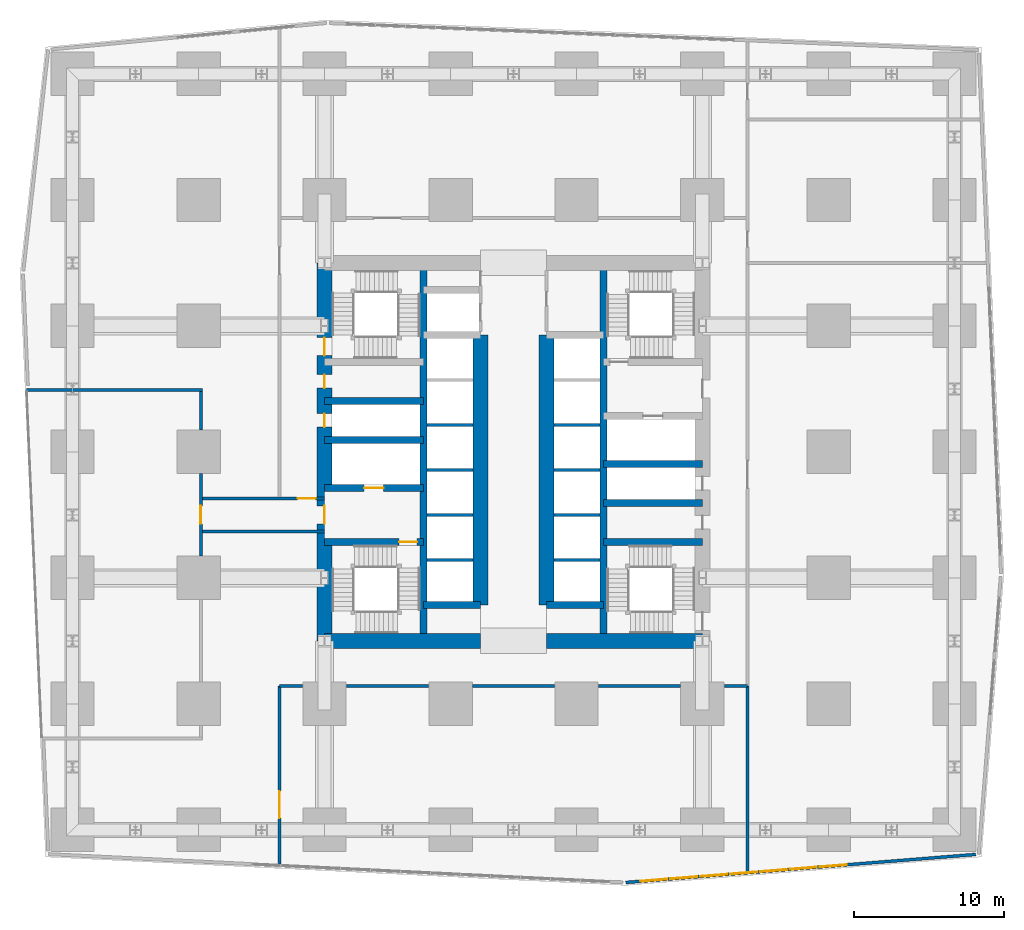
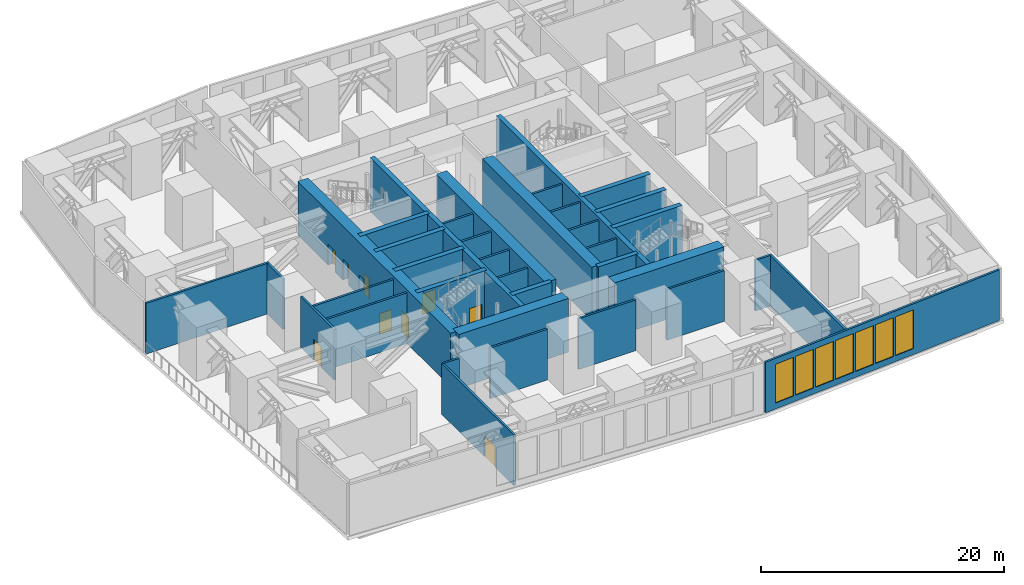
# One storey, part 9 of 16: 37 walls, 9 doors, 7 windows, 16 openings.
"""IFC4 building model written with IfcOpenShell, lengths in metres."""

import ifcopenshell
import ifcopenshell.guid

model = None  # the IFC model being written
_history = None  # IfcOwnerHistory: only IFC2X3 demands one
_inside = {}  # id of a spatial element -> (the spatial element, [elements in it])
_under = {}  # id of a project, library or spatial element -> (it, [spatial elements below it])
_declared = {}  # id of a project -> (the project, [libraries it declares])
_typed = {}  # id of a type object -> (the type object, [elements of that type])
_made_of = {}  # id of a material, layer set ... -> (it, [elements and type objects made of it])


def new_model(schema):
    """Start an empty IFC model of exactly this schema.

    Asked for "IFC4X3", IfcOpenShell would pick the latest addendum, in which some entities
    have other attributes; the version numbers below select the first issue.
    IFC2X3 requires an IfcOwnerHistory on every rooted entity: one is made here for all.
    """
    global model, _history
    if schema == "IFC4X3":
        model = ifcopenshell.file(schema_version=(4, 3, 0, 0))
    else:
        model = ifcopenshell.file(schema=schema)
    _inside.clear()
    _under.clear()
    _declared.clear()
    _typed.clear()
    _made_of.clear()
    _history = None
    if model.schema == "IFC2X3":
        org = make("IfcOrganization", Name="unknown")
        user = make(
            "IfcPersonAndOrganization",
            ThePerson=make("IfcPerson", FamilyName="unknown"),
            TheOrganization=org,
        )
        app = make(
            "IfcApplication",
            ApplicationDeveloper=org,
            Version="unknown",
            ApplicationFullName="unknown",
            ApplicationIdentifier="unknown",
        )
        _history = make(
            "IfcOwnerHistory",
            OwningUser=user,
            OwningApplication=app,
            ChangeAction="ADDED",
            CreationDate=0,
        )
    return model


def make(cls, **values):
    """One entity of the class cls with the attributes given. An attribute that is None is left unset."""
    return model.create_entity(
        cls, **{name: value for name, value in values.items() if value is not None}
    )


def rooted(cls, **values):
    """An entity with a GlobalId (a new one), such as an element, a storey or a relation."""
    return make(cls, GlobalId=ifcopenshell.guid.new(), OwnerHistory=_history, **values)


def si_unit(unit_type, name, prefix=None):
    """IfcSIUnit, for example si_unit("LENGTHUNIT", "METRE", prefix="MILLI")."""
    return make("IfcSIUnit", UnitType=unit_type, Prefix=prefix, Name=name)


def assignment(units):
    """IfcUnitAssignment: the units of a project."""
    return None if units is None else make("IfcUnitAssignment", Units=units)


def point(xyz):
    """IfcCartesianPoint."""
    return None if xyz is None else make("IfcCartesianPoint", Coordinates=xyz)


def direction(xyz):
    """IfcDirection."""
    return None if xyz is None else make("IfcDirection", DirectionRatios=xyz)


def frame(location, z_axis=None, x_axis=None):
    """IfcAxis2Placement3D, a coordinate frame: its origin and axes. An axis left out is left unset."""
    return make(
        "IfcAxis2Placement3D",
        Location=point(location),
        Axis=direction(z_axis),
        RefDirection=direction(x_axis),
    )


def frame_2d(location, x_axis=None):
    """IfcAxis2Placement2D, a coordinate frame in the plane: its origin and x axis."""
    return make(
        "IfcAxis2Placement2D", Location=point(location), RefDirection=direction(x_axis)
    )


def origin():
    """The frame at (0, 0, 0) with its axes left unset."""
    return frame((0.0, 0.0, 0.0))


def place(relative_to, where):
    """IfcLocalPlacement: puts the frame where relative to a parent placement (None: the world)."""
    return make(
        "IfcLocalPlacement", PlacementRelTo=relative_to, RelativePlacement=where
    )


def context(
    kind, dimensions, precision=None, world=None, true_north=None, identifier=None
):
    """IfcGeometricRepresentationContext, for example the 3D "Model" context."""
    return make(
        "IfcGeometricRepresentationContext",
        ContextIdentifier=identifier,
        ContextType=kind,
        CoordinateSpaceDimension=dimensions,
        Precision=precision,
        WorldCoordinateSystem=world,
        TrueNorth=true_north,
    )


def subcontext(parent, identifier, kind, view, scale=None):
    """IfcGeometricRepresentationSubContext, for example "Body" below "Model"."""
    return make(
        "IfcGeometricRepresentationSubContext",
        ContextIdentifier=identifier,
        ContextType=kind,
        ParentContext=parent,
        TargetScale=scale,
        TargetView=view,
    )


def project(units=None, contexts=None):
    """IfcProject with its units and contexts."""
    return rooted(
        "IfcProject",
        Name="project",
        RepresentationContexts=contexts,
        UnitsInContext=assignment(units),
    )


def spatial(cls, under=None, at=None, **own):
    """A site, building, storey or space (cls), placed at a placement, below another one or the project."""
    s = rooted(cls, ObjectPlacement=at, **own)
    if under is not None:
        _under.setdefault(under.id(), (under, []))[1].append(s)
    return s


def profile(cls, at=None, kind="AREA", **sizes):
    """A parametric profile (cls). Its sizes go by their IFC names, for example OverallWidth=200.0."""
    return make(cls, ProfileType=kind, Position=at, **sizes)


def rectangle(**sizes):
    """IfcRectangleProfileDef."""
    return profile("IfcRectangleProfileDef", **sizes)


def extrude(swept, where, along, depth):
    """IfcExtrudedAreaSolid: the profile swept, set in the frame where, extruded along a direction by depth."""
    return make(
        "IfcExtrudedAreaSolid",
        SweptArea=swept,
        Position=where,
        ExtrudedDirection=direction(along),
        Depth=depth,
    )


def shape(context_of_items, identifier, shape_type, items):
    """IfcShapeRepresentation: the items that make up one representation, for example the "Body"."""
    return make(
        "IfcShapeRepresentation",
        ContextOfItems=context_of_items,
        RepresentationIdentifier=identifier,
        RepresentationType=shape_type,
        Items=items,
    )


def material(Name=None, Category=None):
    """IfcMaterial."""
    return make("IfcMaterial", Name=Name, Category=Category)


def layer(
    of_material, thickness, ventilated=None, Name=None, Category=None, Priority=None
):
    """IfcMaterialLayer: one layer of a wall or slab, of a material (None: an air gap)."""
    return make(
        "IfcMaterialLayer",
        Material=of_material,
        LayerThickness=thickness,
        IsVentilated=ventilated,
        Name=Name,
        Category=Category,
        Priority=Priority,
    )


def layer_set(layers, Name=None):
    """IfcMaterialLayerSet."""
    return make("IfcMaterialLayerSet", MaterialLayers=layers, LayerSetName=Name)


def made_of(thing, what):
    """Note that an element or type object is made of a material, layer set ...; save() writes the relation."""
    if what is not None:
        _made_of.setdefault(what.id(), (what, []))[1].append(thing)
    return thing


def type_object(cls, material=None, **own):
    """A type object (cls), such as IfcWallType, which elements share."""
    return made_of(rooted(cls, **own), material)


def element(
    cls,
    number,
    at=None,
    inside=None,
    cuts=None,
    type_object=None,
    material=None,
    context=None,
    identifier="Body",
    shape_type=None,
    held_by="IfcProductDefinitionShape",
    body=None,
    shapes=None,
    **own,
):
    """One element of the class cls, such as IfcWall. Its Tag is "e" and its number.

    at: its placement. inside: the storey or other place that contains it. cuts: it is an
    opening in that element (IfcRelVoidsElement). A single representation is given by context,
    identifier, shape_type and body (its items); several are given by shapes. held_by: the class
    of the entity that holds the representations. save() writes the other relations.
    """
    e = rooted(cls, Tag="e%d" % number, ObjectPlacement=at, **own)
    if body is not None:
        shapes = [shape(context, identifier, shape_type, body)]
    if shapes is not None:
        e.Representation = make(held_by, Representations=shapes)
    if inside is not None:
        _inside.setdefault(inside.id(), (inside, []))[1].append(e)
    if cuts is not None:
        rooted(
            "IfcRelVoidsElement", RelatingBuildingElement=cuts, RelatedOpeningElement=e
        )
    if type_object is not None:
        _typed.setdefault(type_object.id(), (type_object, []))[1].append(e)
    return made_of(e, material)


def fill(opening, filler):
    """IfcRelFillsElement: the door or window that sits in an opening."""
    return rooted(
        "IfcRelFillsElement",
        RelatingOpeningElement=opening,
        RelatedBuildingElement=filler,
    )


def aggregate(whole, parts):
    """IfcRelAggregates: a whole, such as a stair, and the parts it consists of."""
    return rooted("IfcRelAggregates", RelatingObject=whole, RelatedObjects=parts)


def save(model, path):
    """Write the relations noted so far, then the file.

    IfcRelAggregates (storeys below a building ...), IfcRelContainedInSpatialStructure (elements
    in a storey), IfcRelDefinesByType, IfcRelAssociatesMaterial and IfcRelDeclares: one each for
    every whole, place, type object, material and project.
    """
    for whole, parts in _under.values():
        aggregate(whole, parts)
    for where, things in _inside.values():
        rooted(
            "IfcRelContainedInSpatialStructure",
            RelatedElements=things,
            RelatingStructure=where,
        )
    for kind, things in _typed.values():
        rooted("IfcRelDefinesByType", RelatedObjects=things, RelatingType=kind)
    for what, things in _made_of.values():
        rooted("IfcRelAssociatesMaterial", RelatedObjects=things, RelatingMaterial=what)
    for by, libraries in _declared.values():
        rooted("IfcRelDeclares", RelatingContext=by, RelatedDefinitions=libraries)
    model.write(path)


model = new_model("IFC4")

# Units and contexts
model_context = context("Model", 3, precision=1e-05, world=origin(), true_north=direction((0.0, 1.0)))
body_context = subcontext(model_context, "Body", "Model", "MODEL_VIEW")
ifc_project = project(units=[si_unit("LENGTHUNIT", "METRE"), si_unit("AREAUNIT", "SQUARE_METRE"), si_unit("VOLUMEUNIT", "CUBIC_METRE"), si_unit("PLANEANGLEUNIT", "RADIAN"), si_unit("MASSUNIT", "GRAM", prefix="KILO")], contexts=[model_context])

# Site, building, storey
site_placement = place(None, origin())
site = spatial("IfcSite", under=ifc_project, at=site_placement, CompositionType="ELEMENT")
building_placement = place(site_placement, origin())
building = spatial("IfcBuilding", under=site, at=building_placement, Name="Rekha Terrace Tower", CompositionType="ELEMENT")
storey_placement = place(building_placement, frame((0.0, 0.0, 85.39990234375)))
storey = spatial("IfcBuildingStorey", under=building, at=storey_placement, Name="L21", CompositionType="ELEMENT", Elevation=85.39990234375)

# Walls
ifc_material_1 = material(Name="Concrete M70", Category="concrete")
ifc_layer_1 = layer(ifc_material_1, 0.449951171875)
ifc_layer_set_1 = layer_set([ifc_layer_1], Name="Concrete M70")
wall_type_1 = type_object("IfcWallType", Name="CI2 450 core internal shear wall", PredefinedType="SHEAR", material=ifc_layer_set_1)
for number, where, z_axis, x_axis, name in (
    (1, (31.800048828125, 21.0, 0.0), (0.0, 0.0, 1.0), (0.0, 1.0, 0.0), "Core wall X318 L21"),
    (2, (43.800048828125, 21.0, 0.0), (0.0, 0.0, 1.0), (0.0, 1.0, 0.0), "Core wall X438 L21"),
):
    element("IfcWall", number, at=place(storey_placement, frame(where, z_axis=z_axis, x_axis=x_axis)), inside=storey, type_object=wall_type_1, Name=name, PredefinedType="SHEAR", context=body_context, shape_type="SweptSolid", body=[
        extrude(rectangle(XDim=25.199951171875, YDim=0.449951171875, at=frame_2d((12.60009765625, 0.0))), origin(), (0.0, 0.0, 1.0), 5.400146484375),
    ])
for number, where, z_axis, x_axis, name in (
    (3, (31.800048828125, 23.39990234375, 0.0), (0.0, 0.0, 1.0), (1.0, 0.0, 0.0), "Core wall Y234W L21"),
    (4, (40.0, 23.39990234375, 0.0), (0.0, 0.0, 1.0), (1.0, 0.0, 0.0), "Core wall Y234E L21"),
):
    element("IfcWall", number, at=place(storey_placement, frame(where, z_axis=z_axis, x_axis=x_axis)), inside=storey, type_object=wall_type_1, Name=name, PredefinedType="SHEAR", context=body_context, shape_type="SweptSolid", body=[
        extrude(rectangle(XDim=3.800048828125, YDim=0.449951171875, at=frame_2d((1.89990234375, 0.0))), origin(), (0.0, 0.0, 1.0), 5.400146484375),
    ])

# Wall, opening, door
wall_1_placement = place(storey_placement, frame((25.199951171875, 27.60009765625, 0.0), z_axis=(0.0, 0.0, 1.0), x_axis=(1.0, 0.0, 0.0)))
wall_1 = element("IfcWall", 5, at=wall_1_placement, inside=storey, type_object=wall_type_1, Name="Core wall Y276W L21", PredefinedType="SHEAR", context=body_context, shape_type="SweptSolid", body=[
    extrude(rectangle(XDim=6.60009765625, YDim=0.449951171875, at=frame_2d((3.300048828125, 0.0))), origin(), (0.0, 0.0, 1.0), 5.400146484375),
])
opening_1_placement = place(wall_1_placement, frame((4.97509765625, 0.0, 0.0)))
opening_1 = element("IfcOpeningElement", 6, at=opening_1_placement, cuts=wall_1, Name="Opening D1", PredefinedType="OPENING", context=body_context, shape_type="SweptSolid", body=[
    extrude(rectangle(XDim=1.199951171875, YDim=2.10009765625, at=frame_2d((0.60009765625, 1.050048828125))), frame((0.0, 0.23486328125, 0.0), z_axis=(0.0, -1.0, 0.0), x_axis=(1.0, 0.0, 0.0)), (0.0, 0.0, 1.0), 0.469970703125),
])
ifc_material_2 = material(Name="Steel fire door", Category="steel")
door_type_1 = type_object("IfcDoorType", Name="D1 1200x2100 stair fire door", OperationType="SINGLE_SWING_RIGHT", PredefinedType="DOOR", material=ifc_material_2)
door_1_placement = place(opening_1_placement, origin())
door_1 = element("IfcDoor", 7, at=door_1_placement, inside=storey, type_object=door_type_1, Name="Stair ST1 door L21", OperationType="SINGLE_SWING_RIGHT", OverallHeight=2.10009765625, OverallWidth=1.199951171875, PredefinedType="DOOR", context=body_context, shape_type="SweptSolid", body=[
    extrude(rectangle(XDim=1.199951171875, YDim=2.10009765625, at=frame_2d((0.60009765625, 1.050048828125))), frame((0.0, 0.02490234375, 0.0), z_axis=(0.0, -1.0, 0.0), x_axis=(1.0, 0.0, 0.0)), (0.0, 0.0, 1.0), 0.050048828125),
])
fill(opening_1, door_1)

wall_2_placement = place(storey_placement, frame((25.199951171875, 31.199951171875, 0.0), z_axis=(0.0, 0.0, 1.0), x_axis=(1.0, 0.0, 0.0)))
wall_2 = element("IfcWall", 8, at=wall_2_placement, inside=storey, type_object=wall_type_1, Name="Core wall Y312W L21", PredefinedType="SHEAR", context=body_context, shape_type="SweptSolid", body=[
    extrude(rectangle(XDim=6.60009765625, YDim=0.449951171875, at=frame_2d((3.300048828125, 0.0))), origin(), (0.0, 0.0, 1.0), 5.400146484375),
])
opening_2_placement = place(wall_2_placement, frame((2.64990234375, 0.0, 0.0)))
opening_2 = element("IfcOpeningElement", 9, at=opening_2_placement, cuts=wall_2, Name="Opening LD2", PredefinedType="OPENING", context=body_context, shape_type="SweptSolid", body=[
    extrude(rectangle(XDim=1.300048828125, YDim=2.10009765625, at=frame_2d((0.64990234375, 1.050048828125))), frame((0.0, 0.23486328125, 0.0), z_axis=(0.0, -1.0, 0.0), x_axis=(1.0, 0.0, 0.0)), (0.0, 0.0, 1.0), 0.469970703125),
])
ifc_material_3 = material(Name="Stainless steel sliding landing door", Category="steel")
door_type_2 = type_object("IfcDoorType", Name="LD2 1300x2100 fire lift landing door", OperationType="SLIDING_TO_LEFT", PredefinedType="USERDEFINED", material=ifc_material_3)
door_2_placement = place(opening_2_placement, origin())
door_2 = element("IfcDoor", 10, at=door_2_placement, inside=storey, type_object=door_type_2, Name="Lift FL1 landing door L21", ObjectType="LIFT LANDING DOOR", OperationType="SLIDING_TO_LEFT", OverallHeight=2.10009765625, OverallWidth=1.300048828125, PredefinedType="USERDEFINED", context=body_context, shape_type="SweptSolid", body=[
    extrude(rectangle(XDim=1.300048828125, YDim=2.10009765625, at=frame_2d((0.64990234375, 1.050048828125))), frame((0.0, 0.02490234375, 0.0), z_axis=(0.0, -1.0, 0.0), x_axis=(1.0, 0.0, 0.0)), (0.0, 0.0, 1.0), 0.050048828125),
])
fill(opening_2, door_2)

# Walls
for number, where, z_axis, x_axis, name in (
    (11, (25.199951171875, 34.39990234375, 0.0), (0.0, 0.0, 1.0), (1.0, 0.0, 0.0), "Core wall Y344W L21"),
    (12, (25.199951171875, 37.0, 0.0), (0.0, 0.0, 1.0), (1.0, 0.0, 0.0), "Core wall Y370W L21"),
):
    element("IfcWall", number, at=place(storey_placement, frame(where, z_axis=z_axis, x_axis=x_axis)), inside=storey, type_object=wall_type_1, Name=name, PredefinedType="SHEAR", context=body_context, shape_type="SweptSolid", body=[
        extrude(rectangle(XDim=6.60009765625, YDim=0.449951171875, at=frame_2d((3.300048828125, 0.0))), origin(), (0.0, 0.0, 1.0), 5.400146484375),
    ])
for number, where, z_axis, x_axis, name in (
    (13, (43.800048828125, 27.60009765625, 0.0), (0.0, 0.0, 1.0), (1.0, 0.0, 0.0), "Core wall Y276E L21"),
    (14, (43.800048828125, 30.199951171875, 0.0), (0.0, 0.0, 1.0), (1.0, 0.0, 0.0), "Core wall Y302E L21"),
    (15, (43.800048828125, 32.800048828125, 0.0), (0.0, 0.0, 1.0), (1.0, 0.0, 0.0), "Core wall Y328E L21"),
):
    element("IfcWall", number, at=place(storey_placement, frame(where, z_axis=z_axis, x_axis=x_axis)), inside=storey, type_object=wall_type_1, Name=name, PredefinedType="SHEAR", context=body_context, shape_type="SweptSolid", body=[
        extrude(rectangle(XDim=6.599853515625, YDim=0.449951171875, at=frame_2d((3.2998046875, 0.0))), origin(), (0.0, 0.0, 1.0), 5.400146484375),
    ])

# Wall, openings, windows
ifc_material_4 = material(Name="Aluminium cladding on steel stud wall", Category="steel")
ifc_layer_2 = layer(ifc_material_4, 0.199951171875)
ifc_layer_set_2 = layer_set([ifc_layer_2], Name="Aluminium cladding on steel stud wall")
wall_type_2 = type_object("IfcWallType", Name="EW1 plant floor louvre wall 200", PredefinedType="SOLIDWALL", material=ifc_layer_set_2)
wall_3_placement = place(storey_placement, frame((45.284912109375, 4.900390625, 0.0), z_axis=(0.0, 0.0, 1.0), x_axis=(0.996805087864, 0.079872503456, 0.0)))
wall_3 = element("IfcWall", 16, at=wall_3_placement, inside=storey, type_object=wall_type_2, Name="Plant floor louvre wall", PredefinedType="SOLIDWALL", context=body_context, shape_type="SweptSolid", body=[
    extrude(rectangle(XDim=23.404541015625, YDim=0.199951171875, at=frame_2d((11.7021484375, 0.0))), origin(), (0.0, 0.0, 1.0), 5.10009765625),
])
opening_3_placement = place(wall_3_placement, frame((0.984130859375, 0.0, 0.60009765625)))
opening_3 = element("IfcOpeningElement", 17, at=opening_3_placement, cuts=wall_3, Name="Opening LV2", PredefinedType="OPENING", context=body_context, shape_type="SweptSolid", body=[
    extrude(rectangle(XDim=1.800048828125, YDim=3.89990234375, at=frame_2d((0.89990234375, 1.949951171875))), frame((0.0, 0.10986328125, 0.0), z_axis=(0.0, -1.0, 0.0), x_axis=(1.0, 0.0, 0.0)), (0.0, 0.0, 1.0), 0.219970703125),
])
opening_4_placement = place(wall_3_placement, frame((2.984130859375, 0.0, 0.60009765625)))
opening_4 = element("IfcOpeningElement", 18, at=opening_4_placement, cuts=wall_3, Name="Opening LV2", PredefinedType="OPENING", context=body_context, shape_type="SweptSolid", body=[
    extrude(rectangle(XDim=1.800048828125, YDim=3.89990234375, at=frame_2d((0.89990234375, 1.949951171875))), frame((0.0, 0.10986328125, 0.0), z_axis=(0.0, -1.0, 0.0), x_axis=(1.0, 0.0, 0.0)), (0.0, 0.0, 1.0), 0.219970703125),
])
opening_5_placement = place(wall_3_placement, frame((4.984130859375, 0.0, 0.60009765625)))
opening_5 = element("IfcOpeningElement", 19, at=opening_5_placement, cuts=wall_3, Name="Opening LV2", PredefinedType="OPENING", context=body_context, shape_type="SweptSolid", body=[
    extrude(rectangle(XDim=1.800048828125, YDim=3.89990234375, at=frame_2d((0.89990234375, 1.949951171875))), frame((0.0, 0.10986328125, 0.0), z_axis=(0.0, -1.0, 0.0), x_axis=(1.0, 0.0, 0.0)), (0.0, 0.0, 1.0), 0.219970703125),
])
opening_6_placement = place(wall_3_placement, frame((6.984130859375, 0.0, 0.60009765625)))
opening_6 = element("IfcOpeningElement", 20, at=opening_6_placement, cuts=wall_3, Name="Opening LV2", PredefinedType="OPENING", context=body_context, shape_type="SweptSolid", body=[
    extrude(rectangle(XDim=1.800048828125, YDim=3.89990234375, at=frame_2d((0.89990234375, 1.949951171875))), frame((0.0, 0.10986328125, 0.0), z_axis=(0.0, -1.0, 0.0), x_axis=(1.0, 0.0, 0.0)), (0.0, 0.0, 1.0), 0.219970703125),
])
opening_7_placement = place(wall_3_placement, frame((8.984130859375, 0.0, 0.60009765625)))
opening_7 = element("IfcOpeningElement", 21, at=opening_7_placement, cuts=wall_3, Name="Opening LV2", PredefinedType="OPENING", context=body_context, shape_type="SweptSolid", body=[
    extrude(rectangle(XDim=1.800048828125, YDim=3.89990234375, at=frame_2d((0.89990234375, 1.949951171875))), frame((0.0, 0.10986328125, 0.0), z_axis=(0.0, -1.0, 0.0), x_axis=(1.0, 0.0, 0.0)), (0.0, 0.0, 1.0), 0.219970703125),
])
opening_8_placement = place(wall_3_placement, frame((10.984130859375, 0.0, 0.60009765625)))
opening_8 = element("IfcOpeningElement", 22, at=opening_8_placement, cuts=wall_3, Name="Opening LV2", PredefinedType="OPENING", context=body_context, shape_type="SweptSolid", body=[
    extrude(rectangle(XDim=1.800048828125, YDim=3.89990234375, at=frame_2d((0.89990234375, 1.949951171875))), frame((0.0, 0.10986328125, 0.0), z_axis=(0.0, -1.0, 0.0), x_axis=(1.0, 0.0, 0.0)), (0.0, 0.0, 1.0), 0.219970703125),
])
opening_9_placement = place(wall_3_placement, frame((12.984130859375, 0.0, 0.60009765625)))
opening_9 = element("IfcOpeningElement", 23, at=opening_9_placement, cuts=wall_3, Name="Opening LV2", PredefinedType="OPENING", context=body_context, shape_type="SweptSolid", body=[
    extrude(rectangle(XDim=1.800048828125, YDim=3.89990234375, at=frame_2d((0.89990234375, 1.949951171875))), frame((0.0, 0.10986328125, 0.0), z_axis=(0.0, -1.0, 0.0), x_axis=(1.0, 0.0, 0.0)), (0.0, 0.0, 1.0), 0.219970703125),
])
ifc_material_5 = material(Name="Extruded aluminium weather louvre", Category="aluminium")
window_type = type_object("IfcWindowType", Name="LV2 plant louvre 1800", PartitioningType="SINGLE_PANEL", PredefinedType="USERDEFINED", material=ifc_material_5)
window_1_placement = place(opening_3_placement, origin())
window_1 = element("IfcWindow", 24, at=window_1_placement, inside=storey, type_object=window_type, Name="Plant louvre", ObjectType="LOUVRE", OverallHeight=3.89990234375, OverallWidth=1.800048828125, PartitioningType="SINGLE_PANEL", PredefinedType="USERDEFINED", context=body_context, shape_type="SweptSolid", body=[
    extrude(rectangle(XDim=1.800048828125, YDim=3.89990234375, at=frame_2d((0.89990234375, 1.949951171875))), frame((0.0, 0.030029296875, 0.0), z_axis=(0.0, -1.0, 0.0), x_axis=(1.0, 0.0, 0.0)), (0.0, 0.0, 1.0), 0.06005859375),
])
fill(opening_3, window_1)
window_2_placement = place(opening_4_placement, origin())
window_2 = element("IfcWindow", 25, at=window_2_placement, inside=storey, type_object=window_type, Name="Plant louvre", ObjectType="LOUVRE", OverallHeight=3.89990234375, OverallWidth=1.800048828125, PartitioningType="SINGLE_PANEL", PredefinedType="USERDEFINED", context=body_context, shape_type="SweptSolid", body=[
    extrude(rectangle(XDim=1.800048828125, YDim=3.89990234375, at=frame_2d((0.89990234375, 1.949951171875))), frame((0.0, 0.030029296875, 0.0), z_axis=(0.0, -1.0, 0.0), x_axis=(1.0, 0.0, 0.0)), (0.0, 0.0, 1.0), 0.06005859375),
])
fill(opening_4, window_2)
window_3_placement = place(opening_5_placement, origin())
window_3 = element("IfcWindow", 26, at=window_3_placement, inside=storey, type_object=window_type, Name="Plant louvre", ObjectType="LOUVRE", OverallHeight=3.89990234375, OverallWidth=1.800048828125, PartitioningType="SINGLE_PANEL", PredefinedType="USERDEFINED", context=body_context, shape_type="SweptSolid", body=[
    extrude(rectangle(XDim=1.800048828125, YDim=3.89990234375, at=frame_2d((0.89990234375, 1.949951171875))), frame((0.0, 0.030029296875, 0.0), z_axis=(0.0, -1.0, 0.0), x_axis=(1.0, 0.0, 0.0)), (0.0, 0.0, 1.0), 0.06005859375),
])
fill(opening_5, window_3)
window_4_placement = place(opening_6_placement, origin())
window_4 = element("IfcWindow", 27, at=window_4_placement, inside=storey, type_object=window_type, Name="Plant louvre", ObjectType="LOUVRE", OverallHeight=3.89990234375, OverallWidth=1.800048828125, PartitioningType="SINGLE_PANEL", PredefinedType="USERDEFINED", context=body_context, shape_type="SweptSolid", body=[
    extrude(rectangle(XDim=1.800048828125, YDim=3.89990234375, at=frame_2d((0.89990234375, 1.949951171875))), frame((0.0, 0.030029296875, 0.0), z_axis=(0.0, -1.0, 0.0), x_axis=(1.0, 0.0, 0.0)), (0.0, 0.0, 1.0), 0.06005859375),
])
fill(opening_6, window_4)
window_5_placement = place(opening_7_placement, origin())
window_5 = element("IfcWindow", 28, at=window_5_placement, inside=storey, type_object=window_type, Name="Plant louvre", ObjectType="LOUVRE", OverallHeight=3.89990234375, OverallWidth=1.800048828125, PartitioningType="SINGLE_PANEL", PredefinedType="USERDEFINED", context=body_context, shape_type="SweptSolid", body=[
    extrude(rectangle(XDim=1.800048828125, YDim=3.89990234375, at=frame_2d((0.89990234375, 1.949951171875))), frame((0.0, 0.030029296875, 0.0), z_axis=(0.0, -1.0, 0.0), x_axis=(1.0, 0.0, 0.0)), (0.0, 0.0, 1.0), 0.06005859375),
])
fill(opening_7, window_5)
window_6_placement = place(opening_8_placement, origin())
window_6 = element("IfcWindow", 29, at=window_6_placement, inside=storey, type_object=window_type, Name="Plant louvre", ObjectType="LOUVRE", OverallHeight=3.89990234375, OverallWidth=1.800048828125, PartitioningType="SINGLE_PANEL", PredefinedType="USERDEFINED", context=body_context, shape_type="SweptSolid", body=[
    extrude(rectangle(XDim=1.800048828125, YDim=3.89990234375, at=frame_2d((0.89990234375, 1.949951171875))), frame((0.0, 0.030029296875, 0.0), z_axis=(0.0, -1.0, 0.0), x_axis=(1.0, 0.0, 0.0)), (0.0, 0.0, 1.0), 0.06005859375),
])
fill(opening_8, window_6)
window_7_placement = place(opening_9_placement, origin())
window_7 = element("IfcWindow", 30, at=window_7_placement, inside=storey, type_object=window_type, Name="Plant louvre", ObjectType="LOUVRE", OverallHeight=3.89990234375, OverallWidth=1.800048828125, PartitioningType="SINGLE_PANEL", PredefinedType="USERDEFINED", context=body_context, shape_type="SweptSolid", body=[
    extrude(rectangle(XDim=1.800048828125, YDim=3.89990234375, at=frame_2d((0.89990234375, 1.949951171875))), frame((0.0, 0.030029296875, 0.0), z_axis=(0.0, -1.0, 0.0), x_axis=(1.0, 0.0, 0.0)), (0.0, 0.0, 1.0), 0.06005859375),
])
fill(opening_9, window_7)

# Walls
ifc_layer_3 = layer(ifc_material_1, 1.0)
ifc_layer_set_3 = layer_set([ifc_layer_3], Name="Concrete M70")
wall_type_3 = type_object("IfcWallType", Name="LW2 1000 core lobby wall at an outrigger level", PredefinedType="SHEAR", material=ifc_layer_set_3)
for number, where, z_axis, x_axis, name in (
    (31, (35.60009765625, 23.39990234375, 0.0), (0.0, 0.0, 1.0), (0.0, 1.0, 0.0), "Core wall X356 L21"),
    (32, (40.0, 23.39990234375, 0.0), (0.0, 0.0, 1.0), (0.0, 1.0, 0.0), "Core wall X400 L21"),
):
    element("IfcWall", number, at=place(storey_placement, frame(where, z_axis=z_axis, x_axis=x_axis)), inside=storey, type_object=wall_type_3, Name=name, PredefinedType="SHEAR", context=body_context, shape_type="SweptSolid", body=[
        extrude(rectangle(XDim=18.0, YDim=1.0, at=frame_2d((9.0, 0.0))), origin(), (0.0, 0.0, 1.0), 5.400146484375),
    ])
ifc_layer_4 = layer(ifc_material_1, 1.0)
ifc_layer_set_4 = layer_set([ifc_layer_4], Name="Concrete M70")
wall_type_4 = type_object("IfcWallType", Name="SW2 1000 core outer shear wall", PredefinedType="SHEAR", material=ifc_layer_set_4)
wall_4_placement = place(storey_placement, frame((25.199951171875, 21.0, 0.0), z_axis=(0.0, 0.0, 1.0), x_axis=(1.0, 0.0, 0.0)))
element("IfcWall", 33, at=wall_4_placement, inside=storey, type_object=wall_type_4, Name="Core wall S1 L21", PredefinedType="SHEAR", context=body_context, shape_type="SweptSolid", body=[
    extrude(rectangle(XDim=10.400146484375, YDim=1.0, at=frame_2d((5.2001953125, 0.0))), origin(), (0.0, 0.0, 1.0), 5.400146484375),
])
wall_5_placement = place(storey_placement, frame((40.0, 21.0, 0.0), z_axis=(0.0, 0.0, 1.0), x_axis=(1.0, 0.0, 0.0)))
element("IfcWall", 34, at=wall_5_placement, inside=storey, type_object=wall_type_4, Name="Core wall S2 L21", PredefinedType="SHEAR", context=body_context, shape_type="SweptSolid", body=[
    extrude(rectangle(XDim=10.39990234375, YDim=1.0, at=frame_2d((5.199951171875, 0.0))), origin(), (0.0, 0.0, 1.0), 5.400146484375),
])

# Wall, openings, doors
wall_6_placement = place(storey_placement, frame((25.199951171875, 21.0, 0.0), z_axis=(0.0, 0.0, 1.0), x_axis=(0.0, 1.0, 0.0)))
wall_6 = element("IfcWall", 35, at=wall_6_placement, inside=storey, type_object=wall_type_4, Name="Core wall W L21", PredefinedType="SHEAR", context=body_context, shape_type="SweptSolid", body=[
    extrude(rectangle(XDim=25.199951171875, YDim=1.0, at=frame_2d((12.60009765625, 0.0))), origin(), (0.0, 0.0, 1.0), 5.400146484375),
])
opening_10_placement = place(wall_6_placement, frame((7.800048828125, 0.0, 0.0)))
opening_10 = element("IfcOpeningElement", 36, at=opening_10_placement, cuts=wall_6, Name="Opening D2", PredefinedType="OPENING", context=body_context, shape_type="SweptSolid", body=[
    extrude(rectangle(XDim=1.199951171875, YDim=2.10009765625, at=frame_2d((0.60009765625, 1.050048828125))), frame((0.0, 0.510009765625, 0.0), z_axis=(0.0, -1.0, 0.0), x_axis=(1.0, 0.0, 0.0)), (0.0, 0.0, 1.0), 1.02001953125),
])
opening_11_placement = place(wall_6_placement, frame((14.25, 0.0, 0.0)))
opening_11 = element("IfcOpeningElement", 37, at=opening_11_placement, cuts=wall_6, Name="Opening D5", PredefinedType="OPENING", context=body_context, shape_type="SweptSolid", body=[
    extrude(rectangle(XDim=0.89990234375, YDim=2.10009765625, at=frame_2d((0.449951171875, 1.050048828125))), frame((0.0, 0.510009765625, 0.0), z_axis=(0.0, -1.0, 0.0), x_axis=(1.0, 0.0, 0.0)), (0.0, 0.0, 1.0), 1.02001953125),
])
opening_12_placement = place(wall_6_placement, frame((16.85009765625, 0.0, 0.0)))
opening_12 = element("IfcOpeningElement", 38, at=opening_12_placement, cuts=wall_6, Name="Opening D5", PredefinedType="OPENING", context=body_context, shape_type="SweptSolid", body=[
    extrude(rectangle(XDim=0.89990234375, YDim=2.10009765625, at=frame_2d((0.449951171875, 1.050048828125))), frame((0.0, 0.510009765625, 0.0), z_axis=(0.0, -1.0, 0.0), x_axis=(1.0, 0.0, 0.0)), (0.0, 0.0, 1.0), 1.02001953125),
])
opening_13_placement = place(wall_6_placement, frame((19.02490234375, 0.0, 0.0)))
opening_13 = element("IfcOpeningElement", 39, at=opening_13_placement, cuts=wall_6, Name="Opening D1", PredefinedType="OPENING", context=body_context, shape_type="SweptSolid", body=[
    extrude(rectangle(XDim=1.199951171875, YDim=2.10009765625, at=frame_2d((0.60009765625, 1.050048828125))), frame((0.0, 0.510009765625, 0.0), z_axis=(0.0, -1.0, 0.0), x_axis=(1.0, 0.0, 0.0)), (0.0, 0.0, 1.0), 1.02001953125),
])
door_3_placement = place(opening_13_placement, origin())
door_3 = element("IfcDoor", 40, at=door_3_placement, inside=storey, type_object=door_type_1, Name="Stair ST4 door L21", OperationType="SINGLE_SWING_RIGHT", OverallHeight=2.10009765625, OverallWidth=1.199951171875, PredefinedType="DOOR", context=body_context, shape_type="SweptSolid", body=[
    extrude(rectangle(XDim=1.199951171875, YDim=2.10009765625, at=frame_2d((0.60009765625, 1.050048828125))), frame((0.0, 0.02490234375, 0.0), z_axis=(0.0, -1.0, 0.0), x_axis=(1.0, 0.0, 0.0)), (0.0, 0.0, 1.0), 0.050048828125),
])
fill(opening_13, door_3)
door_type_3 = type_object("IfcDoorType", Name="D2 1200x2100 firefighting lobby door", OperationType="SINGLE_SWING_LEFT", PredefinedType="DOOR", material=ifc_material_2)
door_4_placement = place(opening_10_placement, origin())
door_4 = element("IfcDoor", 41, at=door_4_placement, inside=storey, type_object=door_type_3, Name="Door flb1 L21", OperationType="SINGLE_SWING_LEFT", OverallHeight=2.10009765625, OverallWidth=1.199951171875, PredefinedType="DOOR", context=body_context, shape_type="SweptSolid", body=[
    extrude(rectangle(XDim=1.199951171875, YDim=2.10009765625, at=frame_2d((0.60009765625, 1.050048828125))), frame((0.0, 0.02490234375, 0.0), z_axis=(0.0, -1.0, 0.0), x_axis=(1.0, 0.0, 0.0)), (0.0, 0.0, 1.0), 0.050048828125),
])
fill(opening_10, door_4)
door_type_4 = type_object("IfcDoorType", Name="D5 900x2100 riser access door", OperationType="SINGLE_SWING_LEFT", PredefinedType="DOOR", material=ifc_material_2)
door_5_placement = place(opening_11_placement, origin())
door_5 = element("IfcDoor", 42, at=door_5_placement, inside=storey, type_object=door_type_4, Name="Door rs1 L21", OperationType="SINGLE_SWING_LEFT", OverallHeight=2.10009765625, OverallWidth=0.89990234375, PredefinedType="DOOR", context=body_context, shape_type="SweptSolid", body=[
    extrude(rectangle(XDim=0.89990234375, YDim=2.10009765625, at=frame_2d((0.449951171875, 1.050048828125))), frame((0.0, 0.02490234375, 0.0), z_axis=(0.0, -1.0, 0.0), x_axis=(1.0, 0.0, 0.0)), (0.0, 0.0, 1.0), 0.050048828125),
])
fill(opening_11, door_5)
door_6_placement = place(opening_12_placement, origin())
door_6 = element("IfcDoor", 43, at=door_6_placement, inside=storey, type_object=door_type_4, Name="Door elw L21", OperationType="SINGLE_SWING_LEFT", OverallHeight=2.10009765625, OverallWidth=0.89990234375, PredefinedType="DOOR", context=body_context, shape_type="SweptSolid", body=[
    extrude(rectangle(XDim=0.89990234375, YDim=2.10009765625, at=frame_2d((0.449951171875, 1.050048828125))), frame((0.0, 0.02490234375, 0.0), z_axis=(0.0, -1.0, 0.0), x_axis=(1.0, 0.0, 0.0)), (0.0, 0.0, 1.0), 0.050048828125),
])
fill(opening_12, door_6)

# Wall, opening, door
ifc_material_6 = material(Name="Solid concrete block masonry, 2 hour", Category="masonry")
ifc_layer_5 = layer(ifc_material_6, 0.199951171875)
ifc_layer_set_5 = layer_set([ifc_layer_5], Name="Solid concrete block masonry, 2 hour")
wall_type_5 = type_object("IfcWallType", Name="WP1 200 plant room wall", PredefinedType="PARTITIONING", material=ifc_layer_set_5)
wall_7_placement = place(storey_placement, frame((22.199951171875, 6.134033203125, 0.0), z_axis=(0.0, 0.0, 1.0), x_axis=(0.0, 1.0, 0.0)))
wall_7 = element("IfcWall", 44, at=wall_7_placement, inside=storey, type_object=wall_type_5, Name="Partition L21-02", PredefinedType="PARTITIONING", context=body_context, shape_type="SweptSolid", body=[
    extrude(rectangle(XDim=11.865966796875, YDim=0.199951171875, at=frame_2d((5.93310546875, 0.0))), origin(), (0.0, 0.0, 1.0), 5.10009765625),
])
opening_14_placement = place(wall_7_placement, frame((3.05810546875, 0.0, 0.0)))
opening_14 = element("IfcOpeningElement", 45, at=opening_14_placement, cuts=wall_7, Name="Opening D6", PredefinedType="OPENING", context=body_context, shape_type="SweptSolid", body=[
    extrude(rectangle(XDim=1.800048828125, YDim=2.10009765625, at=frame_2d((0.89990234375, 1.050048828125))), frame((0.0, 0.10986328125, 0.0), z_axis=(0.0, -1.0, 0.0), x_axis=(1.0, 0.0, 0.0)), (0.0, 0.0, 1.0), 0.219970703125),
])
door_type_5 = type_object("IfcDoorType", Name="D6 1800x2100 plant room double door", OperationType="DOUBLE_DOOR_SINGLE_SWING", PredefinedType="DOOR", material=ifc_material_2)
door_7_placement = place(opening_14_placement, origin())
door_7 = element("IfcDoor", 46, at=door_7_placement, inside=storey, type_object=door_type_5, Name="Door pump and water treatment plant room L21", OperationType="DOUBLE_DOOR_SINGLE_SWING", OverallHeight=2.10009765625, OverallWidth=1.800048828125, PredefinedType="DOOR", context=body_context, shape_type="SweptSolid", body=[
    extrude(rectangle(XDim=1.800048828125, YDim=2.10009765625, at=frame_2d((0.89990234375, 1.050048828125))), frame((0.0, 0.02490234375, 0.0), z_axis=(0.0, -1.0, 0.0), x_axis=(1.0, 0.0, 0.0)), (0.0, 0.0, 1.0), 0.050048828125),
])
fill(opening_14, door_7)

# Walls
wall_8_placement = place(storey_placement, frame((22.199951171875, 18.0, 0.0), z_axis=(0.0, 0.0, 1.0), x_axis=(1.0, 0.0, 0.0)))
element("IfcWall", 47, at=wall_8_placement, inside=storey, type_object=wall_type_5, Name="Partition L21-02", PredefinedType="PARTITIONING", context=body_context, shape_type="SweptSolid", body=[
    extrude(rectangle(XDim=1.530029296875, YDim=0.199951171875, at=frame_2d((0.76513671875, 0.0))), origin(), (0.0, 0.0, 1.0), 5.10009765625),
])
for number, where, z_axis, x_axis, name in (
    (48, (26.669921875, 18.0, 0.0), (0.0, 0.0, 1.0), (1.0, 0.0, 0.0), "Partition L21-02"),
    (49, (35.070068359375, 18.0, 0.0), (0.0, 0.0, 1.0), (1.0, 0.0, 0.0), "Partition L21-02"),
    (50, (43.469970703125, 18.0, 0.0), (0.0, 0.0, 1.0), (1.0, 0.0, 0.0), "Partition L21-02"),
):
    element("IfcWall", number, at=place(storey_placement, frame(where, z_axis=z_axis, x_axis=x_axis)), inside=storey, type_object=wall_type_5, Name=name, PredefinedType="PARTITIONING", context=body_context, shape_type="SweptSolid", body=[
        extrude(rectangle(XDim=5.4599609375, YDim=0.199951171875, at=frame_2d((2.72998046875, 0.0))), origin(), (0.0, 0.0, 1.0), 5.10009765625),
    ])
wall_9_placement = place(storey_placement, frame((51.8701171875, 18.0, 0.0), z_axis=(0.0, 0.0, 1.0), x_axis=(1.0, 0.0, 0.0)))
element("IfcWall", 51, at=wall_9_placement, inside=storey, type_object=wall_type_5, Name="Partition L21-02", PredefinedType="PARTITIONING", context=body_context, shape_type="SweptSolid", body=[
    extrude(rectangle(XDim=1.52978515625, YDim=0.199951171875, at=frame_2d((0.764892578125, 0.0))), origin(), (0.0, 0.0, 1.0), 5.10009765625),
])
wall_10_placement = place(storey_placement, frame((53.39990234375, 18.0, 0.0), z_axis=(0.0, 0.0, 1.0), x_axis=(0.0, -1.0, 0.0)))
element("IfcWall", 52, at=wall_10_placement, inside=storey, type_object=wall_type_5, Name="Partition L21-02", PredefinedType="PARTITIONING", context=body_context, shape_type="SweptSolid", body=[
    extrude(rectangle(XDim=12.34912109375, YDim=0.199951171875, at=frame_2d((6.174560546875, 0.0))), origin(), (0.0, 0.0, 1.0), 5.10009765625),
])
ifc_layer_6 = layer(ifc_material_6, 0.199951171875)
ifc_layer_set_6 = layer_set([ifc_layer_6], Name="Solid concrete block masonry, 2 hour")
wall_type_6 = type_object("IfcWallType", Name="WS1 200 stair and shaft enclosure", PredefinedType="PARTITIONING", material=ifc_layer_set_6)
for number, where, z_axis, x_axis, name in (
    (53, (32.02490234375, 26.39990234375, 0.0), (0.0, 0.0, 1.0), (1.0, 0.0, 0.0), "Lift shaft divider L21"),
    (54, (32.02490234375, 29.39990234375, 0.0), (0.0, 0.0, 1.0), (1.0, 0.0, 0.0), "Lift shaft divider L21"),
    (55, (32.02490234375, 32.39990234375, 0.0), (0.0, 0.0, 1.0), (1.0, 0.0, 0.0), "Lift shaft divider L21"),
    (56, (32.02490234375, 35.39990234375, 0.0), (0.0, 0.0, 1.0), (1.0, 0.0, 0.0), "Lift shaft divider L21"),
):
    element("IfcWall", number, at=place(storey_placement, frame(where, z_axis=z_axis, x_axis=x_axis)), inside=storey, type_object=wall_type_6, Name=name, PredefinedType="PARTITIONING", context=body_context, shape_type="SweptSolid", body=[
        extrude(rectangle(XDim=3.0751953125, YDim=0.199951171875, at=frame_2d((1.53759765625, 0.0))), origin(), (0.0, 0.0, 1.0), 5.10009765625),
    ])
for number, where, z_axis, x_axis, name in (
    (57, (40.5, 26.39990234375, 0.0), (0.0, 0.0, 1.0), (1.0, 0.0, 0.0), "Lift shaft divider L21"),
    (58, (40.5, 29.39990234375, 0.0), (0.0, 0.0, 1.0), (1.0, 0.0, 0.0), "Lift shaft divider L21"),
    (59, (40.5, 32.39990234375, 0.0), (0.0, 0.0, 1.0), (1.0, 0.0, 0.0), "Lift shaft divider L21"),
    (60, (40.5, 35.39990234375, 0.0), (0.0, 0.0, 1.0), (1.0, 0.0, 0.0), "Lift shaft divider L21"),
):
    element("IfcWall", number, at=place(storey_placement, frame(where, z_axis=z_axis, x_axis=x_axis)), inside=storey, type_object=wall_type_6, Name=name, PredefinedType="PARTITIONING", context=body_context, shape_type="SweptSolid", body=[
        extrude(rectangle(XDim=3.074951171875, YDim=0.199951171875, at=frame_2d((1.53759765625, 0.0))), origin(), (0.0, 0.0, 1.0), 5.10009765625),
    ])

# Wall, opening, door
wall_11_placement = place(storey_placement, frame((16.949951171875, 26.64990234375, 0.0), z_axis=(0.0, 0.0, 1.0), x_axis=(0.0, 1.0, 0.0)))
wall_11 = element("IfcWall", 61, at=wall_11_placement, inside=storey, type_object=wall_type_6, Name="Refuge area inner wall L21", PredefinedType="PARTITIONING", context=body_context, shape_type="SweptSolid", body=[
    extrude(rectangle(XDim=5.5, YDim=0.199951171875, at=frame_2d((2.75, 0.0))), origin(), (0.0, 0.0, 1.0), 5.10009765625),
])
opening_15_placement = place(wall_11_placement, frame((2.14990234375, 0.0, 0.0)))
opening_15 = element("IfcOpeningElement", 62, at=opening_15_placement, cuts=wall_11, Name="Opening D2", PredefinedType="OPENING", context=body_context, shape_type="SweptSolid", body=[
    extrude(rectangle(XDim=1.199951171875, YDim=2.10009765625, at=frame_2d((0.60009765625, 1.050048828125))), frame((0.0, 0.10986328125, 0.0), z_axis=(0.0, -1.0, 0.0), x_axis=(1.0, 0.0, 0.0)), (0.0, 0.0, 1.0), 0.219970703125),
])
door_8_placement = place(opening_15_placement, origin())
door_8 = element("IfcDoor", 63, at=door_8_placement, inside=storey, type_object=door_type_3, Name="Refuge area door L21", OperationType="SINGLE_SWING_LEFT", OverallHeight=2.10009765625, OverallWidth=1.199951171875, PredefinedType="DOOR", context=body_context, shape_type="SweptSolid", body=[
    extrude(rectangle(XDim=1.199951171875, YDim=2.10009765625, at=frame_2d((0.60009765625, 1.050048828125))), frame((0.0, 0.02490234375, 0.0), z_axis=(0.0, -1.0, 0.0), x_axis=(1.0, 0.0, 0.0)), (0.0, 0.0, 1.0), 0.050048828125),
])
fill(opening_15, door_8)

# Walls
wall_12_placement = place(storey_placement, frame((16.949951171875, 35.050048828125, 0.0), z_axis=(0.0, 0.0, 1.0), x_axis=(0.0, 1.0, 0.0)))
element("IfcWall", 64, at=wall_12_placement, inside=storey, type_object=wall_type_6, Name="Refuge area inner wall L21", PredefinedType="PARTITIONING", context=body_context, shape_type="SweptSolid", body=[
    extrude(rectangle(XDim=2.579833984375, YDim=0.199951171875, at=frame_2d((1.2900390625, 0.0))), origin(), (0.0, 0.0, 1.0), 5.10009765625),
])
wall_13_placement = place(storey_placement, frame((5.339111328125, 37.72998046875, 0.0), z_axis=(0.0, 0.0, 1.0), x_axis=(1.0, 0.0, 0.0)))
element("IfcWall", 65, at=wall_13_placement, inside=storey, type_object=wall_type_6, Name="Refuge area north wall L21", PredefinedType="PARTITIONING", context=body_context, shape_type="SweptSolid", body=[
    extrude(rectangle(XDim=11.7109375, YDim=0.199951171875, at=frame_2d((5.85546875, 0.0))), origin(), (0.0, 0.0, 1.0), 5.10009765625),
])

# Wall, opening, door
wall_14_placement = place(storey_placement, frame((16.949951171875, 30.5, 0.0), z_axis=(0.0, 0.0, 1.0), x_axis=(1.0, 0.0, 0.0)))
wall_14 = element("IfcWall", 66, at=wall_14_placement, inside=storey, type_object=wall_type_6, Name="Refuge corridor north wall L21", PredefinedType="PARTITIONING", context=body_context, shape_type="SweptSolid", body=[
    extrude(rectangle(XDim=8.25, YDim=0.199951171875, at=frame_2d((4.125, 0.0))), origin(), (0.0, 0.0, 1.0), 5.10009765625),
])
opening_16_placement = place(wall_14_placement, frame((6.449951171875, 0.0, 0.0)))
opening_16 = element("IfcOpeningElement", 67, at=opening_16_placement, cuts=wall_14, Name="Opening D2", PredefinedType="OPENING", context=body_context, shape_type="SweptSolid", body=[
    extrude(rectangle(XDim=1.199951171875, YDim=2.10009765625, at=frame_2d((0.60009765625, 1.050048828125))), frame((0.0, 0.10986328125, 0.0), z_axis=(0.0, -1.0, 0.0), x_axis=(1.0, 0.0, 0.0)), (0.0, 0.0, 1.0), 0.219970703125),
])
door_9_placement = place(opening_16_placement, origin())
door_9 = element("IfcDoor", 68, at=door_9_placement, inside=storey, type_object=door_type_3, Name="Refuge corridor door L21", OperationType="SINGLE_SWING_LEFT", OverallHeight=2.10009765625, OverallWidth=1.199951171875, PredefinedType="DOOR", context=body_context, shape_type="SweptSolid", body=[
    extrude(rectangle(XDim=1.199951171875, YDim=2.10009765625, at=frame_2d((0.60009765625, 1.050048828125))), frame((0.0, 0.02490234375, 0.0), z_axis=(0.0, -1.0, 0.0), x_axis=(1.0, 0.0, 0.0)), (0.0, 0.0, 1.0), 0.050048828125),
])
fill(opening_16, door_9)

# Wall
wall_15_placement = place(storey_placement, frame((16.949951171875, 28.300048828125, 0.0), z_axis=(0.0, 0.0, 1.0), x_axis=(1.0, 0.0, 0.0)))
element("IfcWall", 69, at=wall_15_placement, inside=storey, type_object=wall_type_6, Name="Refuge corridor south wall L21", PredefinedType="PARTITIONING", context=body_context, shape_type="SweptSolid", body=[
    extrude(rectangle(XDim=8.25, YDim=0.199951171875, at=frame_2d((4.125, 0.0))), origin(), (0.0, 0.0, 1.0), 5.10009765625),
])

save(model, "model.ifc")
